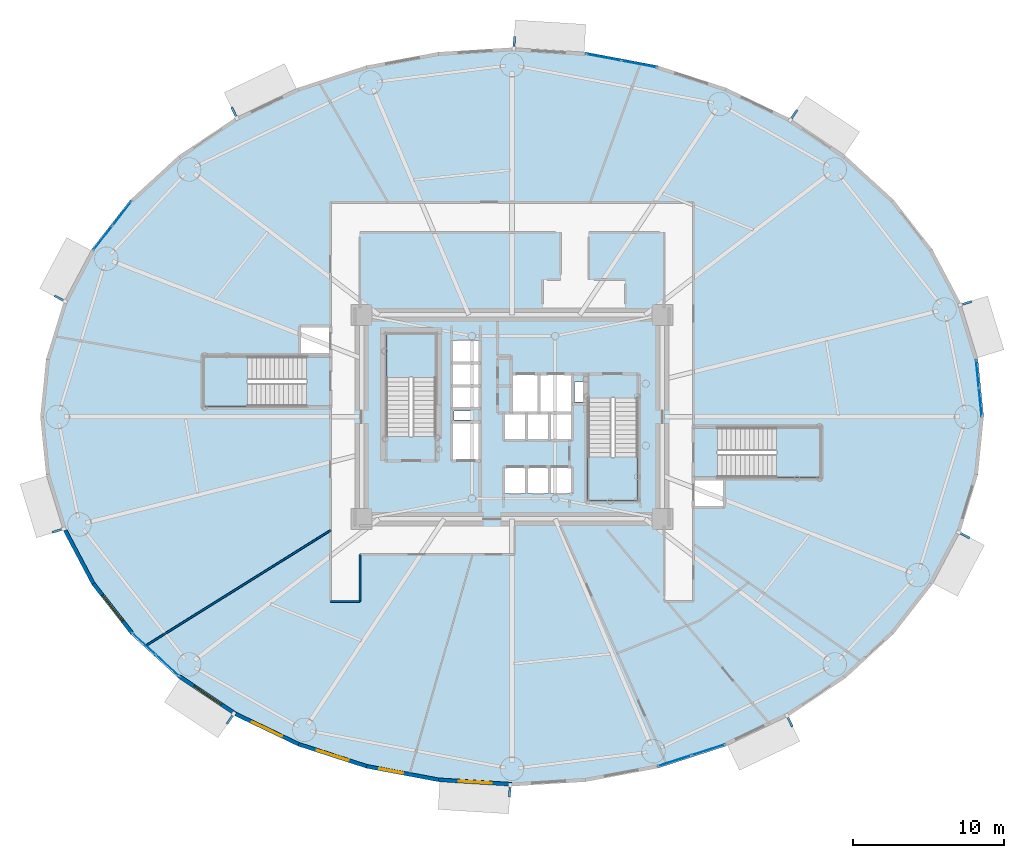
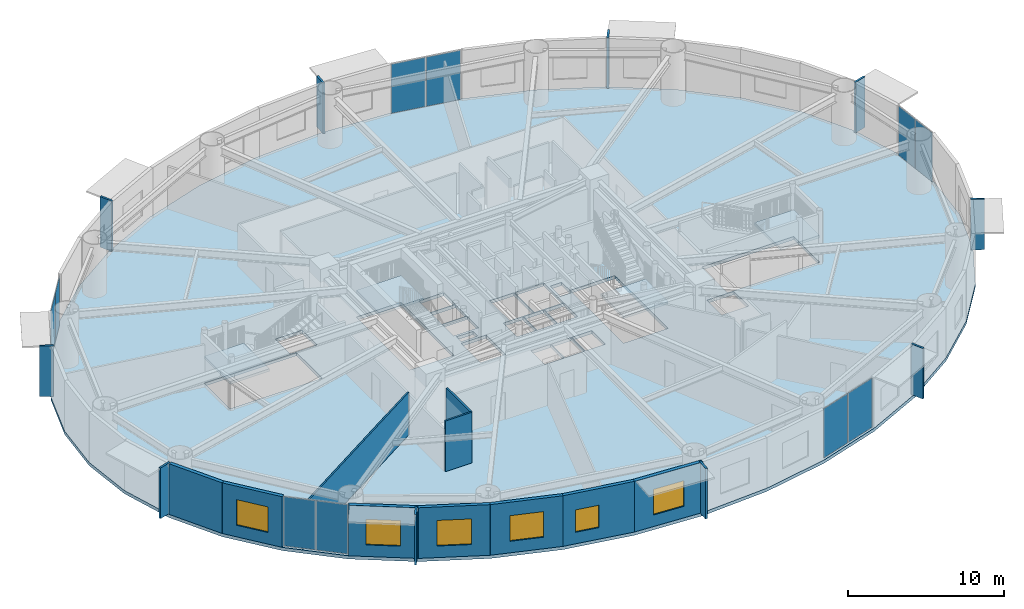
# One storey, part 12 of 28: 20 plates, 10 walls, 6 windows, 5 slabs, 6 openings, 9 elements without a shape of their own.
"""IFC4 building model written with IfcOpenShell, lengths in metres."""

from ifc_helpers import new_model, si_unit, direction, frame, frame_2d, origin, origin_2d, place, context, subcontext, project, spatial, polyline, rectangle, outline, extrude, source, transform, mapped, material, layer, layer_set, type_object, element, fill, aggregate, save


model = new_model("IFC4")

# Units and contexts
model_context = context("Model", 3, precision=1e-05, world=origin(), true_north=direction((0.0, 1.0)))
body_context = subcontext(model_context, "Body", "Model", "MODEL_VIEW")
ifc_project = project(units=[si_unit("LENGTHUNIT", "METRE"), si_unit("AREAUNIT", "SQUARE_METRE"), si_unit("VOLUMEUNIT", "CUBIC_METRE"), si_unit("PLANEANGLEUNIT", "RADIAN"), si_unit("MASSUNIT", "GRAM", prefix="KILO")], contexts=[model_context])

# Site, building, storey
site_placement = place(None, origin())
site = spatial("IfcSite", under=ifc_project, at=site_placement, CompositionType="ELEMENT")
building_placement = place(site_placement, origin())
building = spatial("IfcBuilding", under=site, at=building_placement, Name="Linh Dai School and Residence Tower", CompositionType="ELEMENT")
storey_placement = place(building_placement, frame((0.0, 0.0, 36.60009765625)))
storey = spatial("IfcBuildingStorey", under=building, at=storey_placement, Name="L08", CompositionType="ELEMENT", Elevation=36.60009765625)

# Slab
ifc_material_1 = material(Name="Concrete B45 (C35/45)", Category="concrete")
ifc_layer_1 = layer(ifc_material_1, 0.25)
ifc_layer_set_1 = layer_set([ifc_layer_1], Name="Concrete B45 (C35/45)")
slab_type_1 = type_object("IfcSlabType", Name="SLB-FLR250", PredefinedType="FLOOR", material=ifc_layer_set_1)
slab_1_placement = place(storey_placement, frame((0.0, 0.0, -0.25)))
element("IfcSlab", 1, at=slab_1_placement, inside=storey, type_object=slab_type_1, Name="L08 Composite Structural Floor Slab", PredefinedType="FLOOR", context=body_context, shape_type="SweptSolid", body=[
    extrude(outline(polyline([(67.199951171875, 27.0), (66.81591796875, 30.82177734375), (65.6728515625, 34.54931640625), (63.79931640625, 38.091064453125), (61.2412109375, 41.359619140625), (58.061767578125, 44.274658203125), (54.3388671875, 46.764404296875), (50.16455078125, 48.767333984375), (45.641357421875, 50.234375), (40.880859375, 51.129150390625), (36.0, 51.429931640625), (31.119140625, 51.129150390625), (26.358642578125, 50.234375), (21.83544921875, 48.767333984375), (17.6611328125, 46.764404296875), (13.938232421875, 44.274658203125), (10.7587890625, 41.359619140625), (8.20068359375, 38.091064453125), (6.3271484375, 34.54931640625), (5.18408203125, 30.82177734375), (4.800048828125, 27.0), (5.18408203125, 23.17822265625), (6.3271484375, 19.45068359375), (8.20068359375, 15.908935546875), (10.7587890625, 12.640380859375), (13.938232421875, 9.725341796875), (17.6611328125, 7.235595703125), (21.83544921875, 5.232666015625), (26.358642578125, 3.765625), (31.119140625, 2.870849609375), (36.0, 2.570068359375), (40.880859375, 2.870849609375), (45.641357421875, 3.765625), (50.16455078125, 5.232666015625), (54.3388671875, 7.235595703125), (58.061767578125, 9.725341796875), (61.2412109375, 12.640380859375), (63.79931640625, 15.908935546875), (65.6728515625, 19.45068359375), (66.81591796875, 23.17822265625), (67.199951171875, 27.0)]), holes=[polyline([(30.97998046875, 25.699951171875), (30.97998046875, 32.5), (27.679931640625, 32.5), (27.679931640625, 25.699951171875), (30.97998046875, 25.699951171875)]), polyline([(41.02001953125, 28.25), (41.02001953125, 21.449951171875), (44.320068359375, 21.449951171875), (44.320068359375, 28.25), (41.02001953125, 28.25)]), polyline([(22.39990234375, 31.0), (15.60009765625, 31.0), (15.60009765625, 27.699951171875), (22.39990234375, 27.699951171875), (22.39990234375, 31.0)]), polyline([(49.60009765625, 23.0), (56.39990234375, 23.0), (56.39990234375, 26.300048828125), (49.60009765625, 26.300048828125), (49.60009765625, 23.0)]), polyline([(35.97998046875, 27.280029296875), (37.77001953125, 27.280029296875), (37.77001953125, 29.820068359375), (35.97998046875, 29.820068359375), (35.97998046875, 27.280029296875)]), polyline([(32.030029296875, 24.1298828125), (33.8701171875, 24.1298828125), (33.8701171875, 26.6201171875), (32.030029296875, 26.6201171875), (32.030029296875, 24.1298828125)]), polyline([(37.830078125, 27.280029296875), (39.969970703125, 27.280029296875), (39.969970703125, 29.820068359375), (37.830078125, 29.820068359375), (37.830078125, 27.280029296875)]), polyline([(35.47998046875, 21.929931640625), (36.929931640625, 21.929931640625), (36.929931640625, 23.669921875), (35.47998046875, 23.669921875), (35.47998046875, 21.929931640625)]), polyline([(36.989990234375, 21.929931640625), (38.449951171875, 21.929931640625), (38.449951171875, 23.669921875), (36.989990234375, 23.669921875), (36.989990234375, 21.929931640625)]), polyline([(38.510009765625, 21.929931640625), (39.969970703125, 21.929931640625), (39.969970703125, 23.669921875), (38.510009765625, 23.669921875), (38.510009765625, 21.929931640625)]), polyline([(32.030029296875, 27.580078125), (33.8701171875, 27.580078125), (33.8701171875, 29.030029296875), (32.030029296875, 29.030029296875), (32.030029296875, 27.580078125)]), polyline([(32.030029296875, 29.090087890625), (33.8701171875, 29.090087890625), (33.8701171875, 30.550048828125), (32.030029296875, 30.550048828125), (32.030029296875, 29.090087890625)]), polyline([(32.030029296875, 30.610107421875), (33.8701171875, 30.610107421875), (33.8701171875, 32.070068359375), (32.030029296875, 32.070068359375), (32.030029296875, 30.610107421875)]), polyline([(35.47998046875, 25.47998046875), (36.929931640625, 25.47998046875), (36.929931640625, 27.219970703125), (35.47998046875, 27.219970703125), (35.47998046875, 25.47998046875)]), polyline([(36.989990234375, 25.47998046875), (38.449951171875, 25.47998046875), (38.449951171875, 27.219970703125), (36.989990234375, 27.219970703125), (36.989990234375, 25.47998046875)]), polyline([(38.510009765625, 25.47998046875), (39.969970703125, 25.47998046875), (39.969970703125, 27.219970703125), (38.510009765625, 27.219970703125), (38.510009765625, 25.47998046875)]), polyline([(21.97998046875, 31.080078125), (23.969970703125, 31.080078125), (23.969970703125, 32.969970703125), (21.97998046875, 32.969970703125), (21.97998046875, 31.080078125)]), polyline([(48.030029296875, 21.030029296875), (50.02001953125, 21.030029296875), (50.02001953125, 22.919921875), (48.030029296875, 22.919921875), (48.030029296875, 21.030029296875)]), polyline([(40.14990234375, 28.0), (40.14990234375, 29.300048828125), (41.0, 29.300048828125), (41.0, 28.280029296875), (40.989990234375, 28.280029296875), (40.989990234375, 28.0), (40.14990234375, 28.0)]), polyline([(32.14990234375, 26.800048828125), (33.35009765625, 26.800048828125), (33.35009765625, 27.39990234375), (32.14990234375, 27.39990234375), (32.14990234375, 26.800048828125)])]), origin(), (0.0, 0.0, 1.0), 0.25),
])

# Stair, slab
stair_type = type_object("IfcStairType", Name="ST-DOG-1550-R1500", PredefinedType="HALF_TURN_STAIR", material=ifc_material_1)
stair_1_placement = place(storey_placement, origin())
stair_1 = element("IfcStair", 2, at=stair_1_placement, inside=storey, type_object=stair_type, Name="L08 Core Smokeproof Exit Stair ST1", PredefinedType="HALF_TURN_STAIR")
ifc_layer_2 = layer(ifc_material_1, 0.199951171875)
ifc_layer_set_2 = layer_set([ifc_layer_2], Name="Concrete B45 (C35/45)")
slab_type_2 = type_object("IfcSlabType", Name="SLB-ST-LANDING-200", PredefinedType="LANDING", material=ifc_layer_set_2)
slab_2_placement = place(storey_placement, frame((0.0, 0.0, 1.89990234375)))
slab_2 = element("IfcSlab", 3, at=slab_2_placement, type_object=slab_type_2, Name="ST1 landing 1", PredefinedType="LANDING", context=body_context, shape_type="SweptSolid", body=[
    extrude(outline(polyline([(30.97998046875, 29.60009765625), (30.97998046875, 32.5), (27.679931640625, 32.5), (27.679931640625, 29.60009765625), (30.97998046875, 29.60009765625)])), origin(), (0.0, 0.0, 1.0), 0.199951171875),
])
aggregate(stair_1, [slab_2])

stair_2_placement = place(storey_placement, origin())
stair_2 = element("IfcStair", 4, at=stair_2_placement, inside=storey, type_object=stair_type, Name="L08 Core Smokeproof Exit Stair ST2", PredefinedType="HALF_TURN_STAIR")
slab_3_placement = place(storey_placement, frame((0.0, 0.0, 1.89990234375)))
slab_3 = element("IfcSlab", 5, at=slab_3_placement, type_object=slab_type_2, Name="ST2 landing 1", PredefinedType="LANDING", context=body_context, shape_type="SweptSolid", body=[
    extrude(outline(polyline([(41.02001953125, 24.35009765625), (41.02001953125, 21.449951171875), (44.320068359375, 21.449951171875), (44.320068359375, 24.35009765625), (41.02001953125, 24.35009765625)])), origin(), (0.0, 0.0, 1.0), 0.199951171875),
])
aggregate(stair_2, [slab_3])

stair_3_placement = place(storey_placement, origin())
stair_3 = element("IfcStair", 6, at=stair_3_placement, inside=storey, type_object=stair_type, Name="L08 School Exit Stair STS1", PredefinedType="HALF_TURN_STAIR")
slab_4_placement = place(storey_placement, frame((0.0, 0.0, 1.89990234375)))
slab_4 = element("IfcSlab", 7, at=slab_4_placement, type_object=slab_type_2, Name="STS1 landing 1", PredefinedType="LANDING", context=body_context, shape_type="SweptSolid", body=[
    extrude(outline(polyline([(18.5, 31.0), (15.60009765625, 31.0), (15.60009765625, 27.699951171875), (18.5, 27.699951171875), (18.5, 31.0)])), origin(), (0.0, 0.0, 1.0), 0.199951171875),
])
aggregate(stair_3, [slab_4])

stair_4_placement = place(storey_placement, origin())
stair_4 = element("IfcStair", 8, at=stair_4_placement, inside=storey, type_object=stair_type, Name="L08 School Exit Stair STS2", PredefinedType="HALF_TURN_STAIR")
slab_5_placement = place(storey_placement, frame((0.0, 0.0, 1.89990234375)))
slab_5 = element("IfcSlab", 9, at=slab_5_placement, type_object=slab_type_2, Name="STS2 landing 1", PredefinedType="LANDING", context=body_context, shape_type="SweptSolid", body=[
    extrude(outline(polyline([(53.5, 23.0), (56.39990234375, 23.0), (56.39990234375, 26.300048828125), (53.5, 26.300048828125), (53.5, 23.0)])), origin(), (0.0, 0.0, 1.0), 0.199951171875),
])
aggregate(stair_4, [slab_5])

# Curtain wall, plates
ifc_material_2 = material(Name="Aluminium Anodised Curtain Wall", Category="aluminium")
ifc_layer_3 = layer(ifc_material_2, 0.159912109375)
ifc_layer_set_3 = layer_set([ifc_layer_3], Name="Aluminium Anodised Curtain Wall")
curtain_wall_type = type_object("IfcCurtainWallType", Name="CW-SYS-3", PredefinedType="USERDEFINED", material=ifc_layer_set_3)
curtain_wall_1_placement = place(storey_placement, origin())
curtain_wall_1 = element("IfcCurtainWall", 10, at=curtain_wall_1_placement, inside=storey, type_object=curtain_wall_type, Name="L08 CW3 Curtain Wall 01", ObjectType="RIBBON CURTAIN WALL", PredefinedType="USERDEFINED")
ifc_material_3 = material(Name="Double Low-E Insulated Glazing", Category="glass")
ifc_layer_4 = layer(ifc_material_3, 0.028076171875)
ifc_layer_set_4 = layer_set([ifc_layer_4], Name="Double Low-E Insulated Glazing")
plate_type_1 = type_object("IfcPlateType", Name="CW-SYS-3-PAN", PredefinedType="CURTAIN_PANEL", material=ifc_layer_set_4)
shared_shape_1 = source(origin(), body_context, "Body", "SweptSolid", [
    extrude(rectangle(XDim=1.825439453125, YDim=0.028076171875, at=origin_2d()), origin(), (0.0, 0.0, 1.0), 3.840087890625),
])
plate_1_placement = place(storey_placement, frame((66.7900390625, 29.833984375, 0.0546875), z_axis=(0.0, 0.0, 1.0), x_axis=(0.100009387998, -0.994986493533, 0.0)))
plate_1 = element("IfcPlate", 11, at=plate_1_placement, type_object=plate_type_1, Name="CW3 panel 1.1", PredefinedType="CURTAIN_PANEL", context=body_context, shape_type="MappedRepresentation", body=[
    mapped(shared_shape_1, transform((0.0, 0.0, 0.0), x_axis=(1.0, 0.0, 0.0), y_axis=(0.0, 1.0, 0.0), z_axis=(0.0, 0.0, 1.0), scale=1.0)),
])
plate_2_placement = place(storey_placement, frame((66.978271484375, 27.962890625, 0.0546875), z_axis=(0.0, 0.0, 1.0), x_axis=(0.100009387998, -0.994986493533, 0.0)))
plate_2 = element("IfcPlate", 12, at=plate_2_placement, type_object=plate_type_1, Name="CW3 panel 2.1", PredefinedType="CURTAIN_PANEL", context=body_context, shape_type="MappedRepresentation", body=[
    mapped(shared_shape_1, transform((0.0, 0.0, 0.0), x_axis=(1.0, 0.0, 0.0), y_axis=(0.0, 1.0, 0.0), z_axis=(0.0, 0.0, 1.0), scale=1.0)),
])
aggregate(curtain_wall_1, [plate_1, plate_2])

# Plates
ifc_material_4 = material(Name="Precast Concrete B45 (C35/45)", Category="concrete")
ifc_layer_5 = layer(ifc_material_4, 0.139892578125)
ifc_layer_set_5 = layer_set([ifc_layer_5], Name="Precast Concrete B45 (C35/45)")
plate_type_2 = type_object("IfcPlateType", Name="FIN-TC-900x140", PredefinedType="USERDEFINED", material=ifc_layer_set_5)
shared_shape_2 = source(origin(), body_context, "Body", "SweptSolid", [
    extrude(rectangle(XDim=0.89990234375, YDim=0.139892578125, at=origin_2d()), origin(), (0.0, 0.0, 1.0), 3.949951171875),
])
for number, where, z_axis, x_axis, name in (
    (13, (65.984619140625, 34.5068359375, 0.0), (0.0, 0.0, 1.0), (0.956067769001, 0.293145733514, 0.0), "L08 Precast Terracotta Radial Fin 02"),
    (14, (54.604736328125, 46.9296875, 0.0), (0.0, 0.0, 1.0), (0.555897899828, 0.831250578927, 0.0), "L08 Precast Terracotta Radial Fin 06"),
    (15, (36.14501953125, 51.706787109375, 0.0), (0.0, 0.0, 1.0), (0.061506595367, 0.998106677027, 0.0), "L08 Precast Terracotta Radial Fin 10"),
    (16, (17.65380859375, 47.0771484375, 0.0), (0.0, 0.0, 1.0), (-0.432603008528, 0.901584514626, 0.0), "L08 Precast Terracotta Radial Fin 14"),
    (17, (6.13623046875, 34.799072265625, 0.0), (0.0, 0.0, 1.0), (-0.883933862645, 0.467611940042, 0.0), "L08 Precast Terracotta Radial Fin 18"),
    (18, (6.015380859375, 19.4931640625, 0.0), (0.0, 0.0, 1.0), (-0.956067769001, -0.293145733514, 0.0), "L08 Precast Terracotta Radial Fin 22"),
    (19, (17.395263671875, 7.0703125, 0.0), (0.0, 0.0, 1.0), (-0.555897899828, -0.831250578927, 0.0), "L08 Precast Terracotta Radial Fin 26"),
    (20, (35.85498046875, 2.293212890625, 0.0), (0.0, 0.0, 1.0), (-0.061506595367, -0.998106677027, 0.0), "L08 Precast Terracotta Radial Fin 30"),
    (21, (54.34619140625, 6.9228515625, 0.0), (0.0, 0.0, 1.0), (0.432603008528, -0.901584514626, 0.0), "L08 Precast Terracotta Radial Fin 34"),
    (22, (65.86376953125, 19.200927734375, 0.0), (0.0, 0.0, 1.0), (0.883933862645, -0.467611940042, 0.0), "L08 Precast Terracotta Radial Fin 38"),
):
    element("IfcPlate", number, at=place(storey_placement, frame(where, z_axis=z_axis, x_axis=x_axis)), inside=storey, type_object=plate_type_2, Name=name, ObjectType="RADIAL FIN", PredefinedType="USERDEFINED", context=body_context, shape_type="MappedRepresentation", body=[
        mapped(shared_shape_2, transform((0.0, 0.0, 0.0), x_axis=(1.0, 0.0, 0.0), y_axis=(0.0, 1.0, 0.0), z_axis=(0.0, 0.0, 1.0), scale=1.0)),
    ])

# Curtain wall, plates
curtain_wall_2_placement = place(storey_placement, origin())
curtain_wall_2 = element("IfcCurtainWall", 23, at=curtain_wall_2_placement, inside=storey, type_object=curtain_wall_type, Name="L08 CW3 Curtain Wall 09", ObjectType="RIBBON CURTAIN WALL", PredefinedType="USERDEFINED")
shared_shape_3 = source(origin(), body_context, "Body", "SweptSolid", [
    extrude(rectangle(XDim=2.33154296875, YDim=0.028076171875, at=origin_2d()), origin(), (0.0, 0.0, 1.0), 3.840087890625),
])
plate_3_placement = place(storey_placement, frame((42.065185546875, 50.779541015625, 0.0546875), z_axis=(0.0, 0.0, 1.0), x_axis=(0.982785935675, -0.184747948944, 0.0)))
plate_3 = element("IfcPlate", 24, at=plate_3_placement, type_object=plate_type_1, Name="CW3 panel 1.1", PredefinedType="CURTAIN_PANEL", context=body_context, shape_type="MappedRepresentation", body=[
    mapped(shared_shape_3, transform((0.0, 0.0, 0.0), x_axis=(1.0, 0.0, 0.0), y_axis=(0.0, 1.0, 0.0), z_axis=(0.0, 0.0, 1.0), scale=1.0)),
])
plate_4_placement = place(storey_placement, frame((44.41064453125, 50.338623046875, 0.0546875), z_axis=(0.0, 0.0, 1.0), x_axis=(0.982785935675, -0.184747948944, 0.0)))
plate_4 = element("IfcPlate", 25, at=plate_4_placement, type_object=plate_type_1, Name="CW3 panel 2.1", PredefinedType="CURTAIN_PANEL", context=body_context, shape_type="MappedRepresentation", body=[
    mapped(shared_shape_3, transform((0.0, 0.0, 0.0), x_axis=(1.0, 0.0, 0.0), y_axis=(0.0, 1.0, 0.0), z_axis=(0.0, 0.0, 1.0), scale=1.0)),
])
aggregate(curtain_wall_2, [plate_3, plate_4])

curtain_wall_3_placement = place(storey_placement, origin())
curtain_wall_3 = element("IfcCurtainWall", 26, at=curtain_wall_3_placement, inside=storey, type_object=curtain_wall_type, Name="L08 CW3 Curtain Wall 17", ObjectType="RIBBON CURTAIN WALL", PredefinedType="USERDEFINED")
shared_shape_4 = source(origin(), body_context, "Body", "SweptSolid", [
    extrude(rectangle(XDim=1.982177734375, YDim=0.028076171875, at=origin_2d()), origin(), (0.0, 0.0, 1.0), 3.840087890625),
])
plate_5_placement = place(storey_placement, frame((8.9501953125, 38.8466796875, 0.0546875), z_axis=(0.0, 0.0, 1.0), x_axis=(0.616319427785, 0.787496262172, 0.0)))
plate_5 = element("IfcPlate", 27, at=plate_5_placement, type_object=plate_type_1, Name="CW3 panel 1.1", PredefinedType="CURTAIN_PANEL", context=body_context, shape_type="MappedRepresentation", body=[
    mapped(shared_shape_4, transform((0.0, 0.0, 0.0), x_axis=(1.0, 0.0, 0.0), y_axis=(0.0, 1.0, 0.0), z_axis=(0.0, 0.0, 1.0), scale=1.0)),
])
plate_6_placement = place(storey_placement, frame((10.20556640625, 40.45068359375, 0.0546875), z_axis=(0.0, 0.0, 1.0), x_axis=(0.616319427785, 0.787496262172, 0.0)))
plate_6 = element("IfcPlate", 28, at=plate_6_placement, type_object=plate_type_1, Name="CW3 panel 2.1", PredefinedType="CURTAIN_PANEL", context=body_context, shape_type="MappedRepresentation", body=[
    mapped(shared_shape_4, transform((0.0, 0.0, 0.0), x_axis=(1.0, 0.0, 0.0), y_axis=(0.0, 1.0, 0.0), z_axis=(0.0, 0.0, 1.0), scale=1.0)),
])
aggregate(curtain_wall_3, [plate_5, plate_6])

curtain_wall_4_placement = place(storey_placement, origin())
curtain_wall_4 = element("IfcCurtainWall", 29, at=curtain_wall_4_placement, inside=storey, type_object=curtain_wall_type, Name="L08 CW3 Curtain Wall 25", ObjectType="RIBBON CURTAIN WALL", PredefinedType="USERDEFINED")
shared_shape_5 = source(origin(), body_context, "Body", "SweptSolid", [
    extrude(rectangle(XDim=2.064453125, YDim=0.028076171875, at=origin_2d()), origin(), (0.0, 0.0, 1.0), 3.840087890625),
])
plate_7_placement = place(storey_placement, frame((13.2138671875, 10.55859375, 0.0546875), z_axis=(0.0, 0.0, 1.0), x_axis=(-0.737113246362, 0.675769237268, 0.0)))
plate_7 = element("IfcPlate", 30, at=plate_7_placement, type_object=plate_type_1, Name="CW3 panel 1.1", PredefinedType="CURTAIN_PANEL", context=body_context, shape_type="MappedRepresentation", body=[
    mapped(shared_shape_5, transform((0.0, 0.0, 0.0), x_axis=(1.0, 0.0, 0.0), y_axis=(0.0, 1.0, 0.0), z_axis=(0.0, 0.0, 1.0), scale=1.0)),
])
plate_8_placement = place(storey_placement, frame((11.651611328125, 11.99072265625, 0.0546875), z_axis=(0.0, 0.0, 1.0), x_axis=(-0.737113246362, 0.675769237268, 0.0)))
plate_8 = element("IfcPlate", 31, at=plate_8_placement, type_object=plate_type_1, Name="CW3 panel 2.1", PredefinedType="CURTAIN_PANEL", context=body_context, shape_type="MappedRepresentation", body=[
    mapped(shared_shape_5, transform((0.0, 0.0, 0.0), x_axis=(1.0, 0.0, 0.0), y_axis=(0.0, 1.0, 0.0), z_axis=(0.0, 0.0, 1.0), scale=1.0)),
])
aggregate(curtain_wall_4, [plate_7, plate_8])

curtain_wall_5_placement = place(storey_placement, origin())
curtain_wall_5 = element("IfcCurtainWall", 32, at=curtain_wall_5_placement, inside=storey, type_object=curtain_wall_type, Name="L08 CW3 Curtain Wall 33", ObjectType="RIBBON CURTAIN WALL", PredefinedType="USERDEFINED")
shared_shape_6 = source(origin(), body_context, "Body", "SweptSolid", [
    extrude(rectangle(XDim=2.286865234375, YDim=0.028076171875, at=origin_2d()), origin(), (0.0, 0.0, 1.0), 3.840087890625),
])
plate_9_placement = place(storey_placement, frame((48.978271484375, 4.97900390625, 0.0546875), z_axis=(0.0, 0.0, 1.0), x_axis=(-0.951220777043, -0.308510993844, 0.0)))
plate_9 = element("IfcPlate", 33, at=plate_9_placement, type_object=plate_type_1, Name="CW3 panel 1.1", PredefinedType="CURTAIN_PANEL", context=body_context, shape_type="MappedRepresentation", body=[
    mapped(shared_shape_6, transform((0.0, 0.0, 0.0), x_axis=(1.0, 0.0, 0.0), y_axis=(0.0, 1.0, 0.0), z_axis=(0.0, 0.0, 1.0), scale=1.0)),
])
plate_10_placement = place(storey_placement, frame((46.75048828125, 4.256591796875, 0.0546875), z_axis=(0.0, 0.0, 1.0), x_axis=(-0.951220777043, -0.308510993844, 0.0)))
plate_10 = element("IfcPlate", 34, at=plate_10_placement, type_object=plate_type_1, Name="CW3 panel 2.1", PredefinedType="CURTAIN_PANEL", context=body_context, shape_type="MappedRepresentation", body=[
    mapped(shared_shape_6, transform((0.0, 0.0, 0.0), x_axis=(1.0, 0.0, 0.0), y_axis=(0.0, 1.0, 0.0), z_axis=(0.0, 0.0, 1.0), scale=1.0)),
])
aggregate(curtain_wall_5, [plate_9, plate_10])

# Wall
ifc_layer_6 = layer(ifc_material_4, 0.25)
ifc_layer_set_6 = layer_set([ifc_layer_6], Name="Precast Concrete B45 (C35/45)")
wall_type_1 = type_object("IfcWallType", Name="EW-TC-250", PredefinedType="SOLIDWALL", material=ifc_layer_set_6)
wall_1_placement = place(storey_placement, frame((8.305419921875, 15.977294921875, 0.0), z_axis=(0.0, 0.0, 1.0), x_axis=(-0.467662443071, 0.883907144072, 0.0)))
element("IfcWall", 35, at=wall_1_placement, inside=storey, type_object=wall_type_1, Name="L08 Terracotta Exterior Wall 23", PredefinedType="SOLIDWALL", context=body_context, shape_type="SweptSolid", body=[
    extrude(rectangle(XDim=3.983642578125, YDim=0.25, at=frame_2d((1.99169921875, 0.0))), origin(), (0.0, 0.0, 1.0), 3.949951171875),
])

# Wall, opening, window
wall_2_placement = place(storey_placement, frame((10.850341796875, 12.725341796875, 0.0), z_axis=(0.0, 0.0, 1.0), x_axis=(-0.616295508253, 0.787514981767, 0.0)))
wall_2 = element("IfcWall", 36, at=wall_2_placement, inside=storey, type_object=wall_type_1, Name="L08 Terracotta Exterior Wall 24", PredefinedType="SOLIDWALL", context=body_context, shape_type="SweptSolid", body=[
    extrude(rectangle(XDim=4.12939453125, YDim=0.25, at=frame_2d((2.064697265625, 0.0))), origin(), (0.0, 0.0, 1.0), 3.949951171875),
])
opening_1_placement = place(wall_2_placement, frame((0.964599609375, 0.0, 0.89990234375)))
opening_1 = element("IfcOpeningElement", 37, at=opening_1_placement, cuts=wall_2, Name="Opening W4", PredefinedType="OPENING", context=body_context, shape_type="SweptSolid", body=[
    extrude(rectangle(XDim=2.199951171875, YDim=2.0, at=origin_2d()), frame((1.10009765625, 0.135009765625, 1.0), z_axis=(0.0, -1.0, 0.0), x_axis=(1.0, 0.0, 0.0)), (0.0, 0.0, 1.0), 0.27001953125),
])
ifc_material_5 = material(Name="Acoustic Laminated Low-E Glazing", Category="glass")
window_type_1 = type_object("IfcWindowType", Name="WN-SCH-2200x2000", PartitioningType="TRIPLE_PANEL_VERTICAL", PredefinedType="WINDOW", material=ifc_material_5)
shared_shape_7 = source(origin(), body_context, "Body", "SweptSolid", [
    extrude(rectangle(XDim=2.199951171875, YDim=2.0, at=origin_2d()), frame((1.10009765625, 0.030029296875, 1.0), z_axis=(0.0, -1.0, 0.0), x_axis=(1.0, 0.0, 0.0)), (0.0, 0.0, 1.0), 0.06005859375),
])
window_1_placement = place(opening_1_placement, origin())
window_1 = element("IfcWindow", 38, at=window_1_placement, inside=storey, type_object=window_type_1, Name="L08 Exterior Window 24.1", OverallHeight=2.0, OverallWidth=2.199951171875, PartitioningType="TRIPLE_PANEL_VERTICAL", PredefinedType="WINDOW", context=body_context, shape_type="MappedRepresentation", body=[
    mapped(shared_shape_7, transform((0.0, 0.0, 0.0), x_axis=(1.0, 0.0, 0.0), y_axis=(0.0, 1.0, 0.0), z_axis=(0.0, 0.0, 1.0), scale=1.0)),
])
fill(opening_1, window_1)

wall_3_placement = place(storey_placement, frame((17.722900390625, 7.34423828125, 0.0), z_axis=(0.0, 0.0, 1.0), x_axis=(-0.831240982525, 0.555912249343, 0.0)))
wall_3 = element("IfcWall", 39, at=wall_3_placement, inside=storey, type_object=wall_type_1, Name="L08 Terracotta Exterior Wall 26", PredefinedType="SOLIDWALL", context=body_context, shape_type="SweptSolid", body=[
    extrude(rectangle(XDim=4.460205078125, YDim=0.25, at=frame_2d((2.22998046875, 0.0))), origin(), (0.0, 0.0, 1.0), 3.949951171875),
])
opening_2_placement = place(wall_3_placement, frame((1.1298828125, 0.0, 0.89990234375)))
opening_2 = element("IfcOpeningElement", 40, at=opening_2_placement, cuts=wall_3, Name="Opening W4", PredefinedType="OPENING", context=body_context, shape_type="SweptSolid", body=[
    extrude(rectangle(XDim=2.199951171875, YDim=2.0, at=origin_2d()), frame((1.10009765625, 0.135009765625, 1.0), z_axis=(0.0, -1.0, 0.0), x_axis=(1.0, 0.0, 0.0)), (0.0, 0.0, 1.0), 0.27001953125),
])
window_2_placement = place(opening_2_placement, origin())
window_2 = element("IfcWindow", 41, at=window_2_placement, inside=storey, type_object=window_type_1, Name="L08 Exterior Window 26.1", OverallHeight=2.0, OverallWidth=2.199951171875, PartitioningType="TRIPLE_PANEL_VERTICAL", PredefinedType="WINDOW", context=body_context, shape_type="MappedRepresentation", body=[
    mapped(shared_shape_7, transform((0.0, 0.0, 0.0), x_axis=(1.0, 0.0, 0.0), y_axis=(0.0, 1.0, 0.0), z_axis=(0.0, 0.0, 1.0), scale=1.0)),
])
fill(opening_2, window_2)

wall_4_placement = place(storey_placement, frame((21.8818359375, 5.348876953125, 0.0), z_axis=(0.0, 0.0, 1.0), x_axis=(-0.901601503137, 0.432567601123, 0.0)))
wall_4 = element("IfcWall", 42, at=wall_4_placement, inside=storey, type_object=wall_type_1, Name="L08 Terracotta Exterior Wall 27", PredefinedType="SOLIDWALL", context=body_context, shape_type="SweptSolid", body=[
    extrude(rectangle(XDim=4.61279296875, YDim=0.25, at=frame_2d((2.306396484375, 0.0))), origin(), (0.0, 0.0, 1.0), 3.949951171875),
])
opening_3_placement = place(wall_4_placement, frame((1.206298828125, 0.0, 0.89990234375)))
opening_3 = element("IfcOpeningElement", 43, at=opening_3_placement, cuts=wall_4, Name="Opening W4", PredefinedType="OPENING", context=body_context, shape_type="SweptSolid", body=[
    extrude(rectangle(XDim=2.199951171875, YDim=2.0, at=origin_2d()), frame((1.10009765625, 0.135009765625, 1.0), z_axis=(0.0, -1.0, 0.0), x_axis=(1.0, 0.0, 0.0)), (0.0, 0.0, 1.0), 0.27001953125),
])
window_3_placement = place(opening_3_placement, origin())
window_3 = element("IfcWindow", 44, at=window_3_placement, inside=storey, type_object=window_type_1, Name="L08 Exterior Window 27.1", OverallHeight=2.0, OverallWidth=2.199951171875, PartitioningType="TRIPLE_PANEL_VERTICAL", PredefinedType="WINDOW", context=body_context, shape_type="MappedRepresentation", body=[
    mapped(shared_shape_7, transform((0.0, 0.0, 0.0), x_axis=(1.0, 0.0, 0.0), y_axis=(0.0, 1.0, 0.0), z_axis=(0.0, 0.0, 1.0), scale=1.0)),
])
fill(opening_3, window_3)

wall_5_placement = place(storey_placement, frame((26.389404296875, 3.88671875, 0.0), z_axis=(0.0, 0.0, 1.0), x_axis=(-0.951207699013, 0.308551313946, 0.0)))
wall_5 = element("IfcWall", 45, at=wall_5_placement, inside=storey, type_object=wall_type_1, Name="L08 Terracotta Exterior Wall 28", PredefinedType="SOLIDWALL", context=body_context, shape_type="SweptSolid", body=[
    extrude(rectangle(XDim=4.73876953125, YDim=0.25, at=frame_2d((2.369384765625, 0.0))), origin(), (0.0, 0.0, 1.0), 3.949951171875),
])
opening_4_placement = place(wall_5_placement, frame((1.269287109375, 0.0, 0.89990234375)))
opening_4 = element("IfcOpeningElement", 46, at=opening_4_placement, cuts=wall_5, Name="Opening W4", PredefinedType="OPENING", context=body_context, shape_type="SweptSolid", body=[
    extrude(rectangle(XDim=2.199951171875, YDim=2.0, at=origin_2d()), frame((1.10009765625, 0.135009765625, 1.0), z_axis=(0.0, -1.0, 0.0), x_axis=(1.0, 0.0, 0.0)), (0.0, 0.0, 1.0), 0.27001953125),
])
window_4_placement = place(opening_4_placement, origin())
window_4 = element("IfcWindow", 47, at=window_4_placement, inside=storey, type_object=window_type_1, Name="L08 Exterior Window 28.1", OverallHeight=2.0, OverallWidth=2.199951171875, PartitioningType="TRIPLE_PANEL_VERTICAL", PredefinedType="WINDOW", context=body_context, shape_type="MappedRepresentation", body=[
    mapped(shared_shape_7, transform((0.0, 0.0, 0.0), x_axis=(1.0, 0.0, 0.0), y_axis=(0.0, 1.0, 0.0), z_axis=(0.0, 0.0, 1.0), scale=1.0)),
])
fill(opening_4, window_4)

wall_6_placement = place(storey_placement, frame((31.134521484375, 2.994873046875, 0.0), z_axis=(0.0, 0.0, 1.0), x_axis=(-0.982791952378, 0.184715939598, 0.0)))
wall_6 = element("IfcWall", 48, at=wall_6_placement, inside=storey, type_object=wall_type_1, Name="L08 Terracotta Exterior Wall 29", PredefinedType="SOLIDWALL", context=body_context, shape_type="SweptSolid", body=[
    extrude(rectangle(XDim=4.828125, YDim=0.25, at=frame_2d((2.4140625, 0.0))), origin(), (0.0, 0.0, 1.0), 3.949951171875),
])
opening_5_placement = place(wall_6_placement, frame((2.388427734375, 0.0, 0.89990234375)))
opening_5 = element("IfcOpeningElement", 49, at=opening_5_placement, cuts=wall_6, Name="Opening W2", PredefinedType="OPENING", context=body_context, shape_type="SweptSolid", body=[
    extrude(rectangle(XDim=1.60009765625, YDim=1.75, at=origin_2d()), frame((0.800048828125, 0.135009765625, 0.875), z_axis=(0.0, -1.0, 0.0), x_axis=(1.0, 0.0, 0.0)), (0.0, 0.0, 1.0), 0.27001953125),
])
window_type_2 = type_object("IfcWindowType", Name="WN-RES-1600x1750", PartitioningType="DOUBLE_PANEL_VERTICAL", PredefinedType="WINDOW", material=ifc_material_3)
shared_shape_8 = source(origin(), body_context, "Body", "SweptSolid", [
    extrude(rectangle(XDim=1.60009765625, YDim=1.75, at=origin_2d()), frame((0.800048828125, 0.030029296875, 0.875), z_axis=(0.0, -1.0, 0.0), x_axis=(1.0, 0.0, 0.0)), (0.0, 0.0, 1.0), 0.06005859375),
])
window_5_placement = place(opening_5_placement, origin())
window_5 = element("IfcWindow", 50, at=window_5_placement, inside=storey, type_object=window_type_2, Name="L08 Exterior Window 29.1", OverallHeight=1.75, OverallWidth=1.60009765625, PartitioningType="DOUBLE_PANEL_VERTICAL", PredefinedType="WINDOW", context=body_context, shape_type="MappedRepresentation", body=[
    mapped(shared_shape_8, transform((0.0, 0.0, 0.0), x_axis=(1.0, 0.0, 0.0), y_axis=(0.0, 1.0, 0.0), z_axis=(0.0, 0.0, 1.0), scale=1.0)),
])
fill(opening_5, window_5)

wall_7_placement = place(storey_placement, frame((36.0, 2.695068359375, 0.0), z_axis=(0.0, 0.0, 1.0), x_axis=(-0.998106954071, 0.061502099433, 0.0)))
wall_7 = element("IfcWall", 51, at=wall_7_placement, inside=storey, type_object=wall_type_1, Name="L08 Terracotta Exterior Wall 30", PredefinedType="SOLIDWALL", context=body_context, shape_type="SweptSolid", body=[
    extrude(rectangle(XDim=4.874755859375, YDim=0.25, at=frame_2d((2.4375, 0.0))), origin(), (0.0, 0.0, 1.0), 3.949951171875),
])
opening_6_placement = place(wall_7_placement, frame((1.33740234375, 0.0, 0.89990234375)))
opening_6 = element("IfcOpeningElement", 52, at=opening_6_placement, cuts=wall_7, Name="Opening W4", PredefinedType="OPENING", context=body_context, shape_type="SweptSolid", body=[
    extrude(rectangle(XDim=2.199951171875, YDim=2.0, at=origin_2d()), frame((1.10009765625, 0.135009765625, 1.0), z_axis=(0.0, -1.0, 0.0), x_axis=(1.0, 0.0, 0.0)), (0.0, 0.0, 1.0), 0.27001953125),
])
window_6_placement = place(opening_6_placement, origin())
window_6 = element("IfcWindow", 53, at=window_6_placement, inside=storey, type_object=window_type_1, Name="L08 Exterior Window 30.1", OverallHeight=2.0, OverallWidth=2.199951171875, PartitioningType="TRIPLE_PANEL_VERTICAL", PredefinedType="WINDOW", context=body_context, shape_type="MappedRepresentation", body=[
    mapped(shared_shape_7, transform((0.0, 0.0, 0.0), x_axis=(1.0, 0.0, 0.0), y_axis=(0.0, 1.0, 0.0), z_axis=(0.0, 0.0, 1.0), scale=1.0)),
])
fill(opening_6, window_6)

# Walls
ifc_material_6 = material(Name="Autoclaved Aerated Concrete Blockwork", Category="masonry")
ifc_layer_7 = layer(ifc_material_6, 0.135009765625)
ifc_layer_set_7 = layer_set([ifc_layer_7], Name="Autoclaved Aerated Concrete Blockwork")
wall_type_2 = type_object("IfcWallType", Name="IW-CORR-135-EI90", PredefinedType="PARTITIONING", material=ifc_layer_set_7)
wall_8_placement = place(storey_placement, frame((24.0, 14.800048828125, 0.0), z_axis=(0.0, 0.0, 1.0), x_axis=(1.0, 0.0, 0.0)))
element("IfcWall", 54, at=wall_8_placement, inside=storey, type_object=wall_type_2, Name="L08 Interior Partition Wall 010", PredefinedType="PARTITIONING", context=body_context, shape_type="SweptSolid", body=[
    extrude(rectangle(XDim=1.949951171875, YDim=0.135009765625, at=frame_2d((0.97509765625, 0.0))), origin(), (0.0, 0.0, 1.0), 3.949951171875),
])
wall_9_placement = place(storey_placement, frame((25.949951171875, 14.800048828125, 0.0), z_axis=(0.0, 0.0, 1.0), x_axis=(0.0, 1.0, 0.0)))
element("IfcWall", 55, at=wall_9_placement, inside=storey, type_object=wall_type_2, Name="L08 Interior Partition Wall 014", PredefinedType="PARTITIONING", context=body_context, shape_type="SweptSolid", body=[
    extrude(rectangle(XDim=3.099853515625, YDim=0.135009765625, at=frame_2d((1.5498046875, 0.0))), origin(), (0.0, 0.0, 1.0), 3.949951171875),
])
ifc_material_7 = material(Name="Acoustic Operable Timber Panel Partition", Category="wood")
ifc_layer_8 = layer(ifc_material_7, 0.110107421875)
ifc_layer_set_8 = layer_set([ifc_layer_8], Name="Acoustic Operable Timber Panel Partition")
wall_type_3 = type_object("IfcWallType", Name="IW-MOV-110", PredefinedType="MOVABLE", material=ifc_layer_set_8)
wall_10_placement = place(storey_placement, frame((11.780517578125, 11.865966796875, 0.0), z_axis=(0.0, 0.0, 1.0), x_axis=(0.848050654091, 0.52991517066, 0.0)))
element("IfcWall", 56, at=wall_10_placement, inside=storey, type_object=wall_type_3, Name="L08 Interior Partition Wall 002", PredefinedType="MOVABLE", context=body_context, shape_type="SweptSolid", body=[
    extrude(rectangle(XDim=14.408935546875, YDim=0.110107421875, at=frame_2d((7.20458984375, 0.0))), origin(), (0.0, 0.0, 1.0), 3.3349609375),
])

save(model, "model.ifc")
